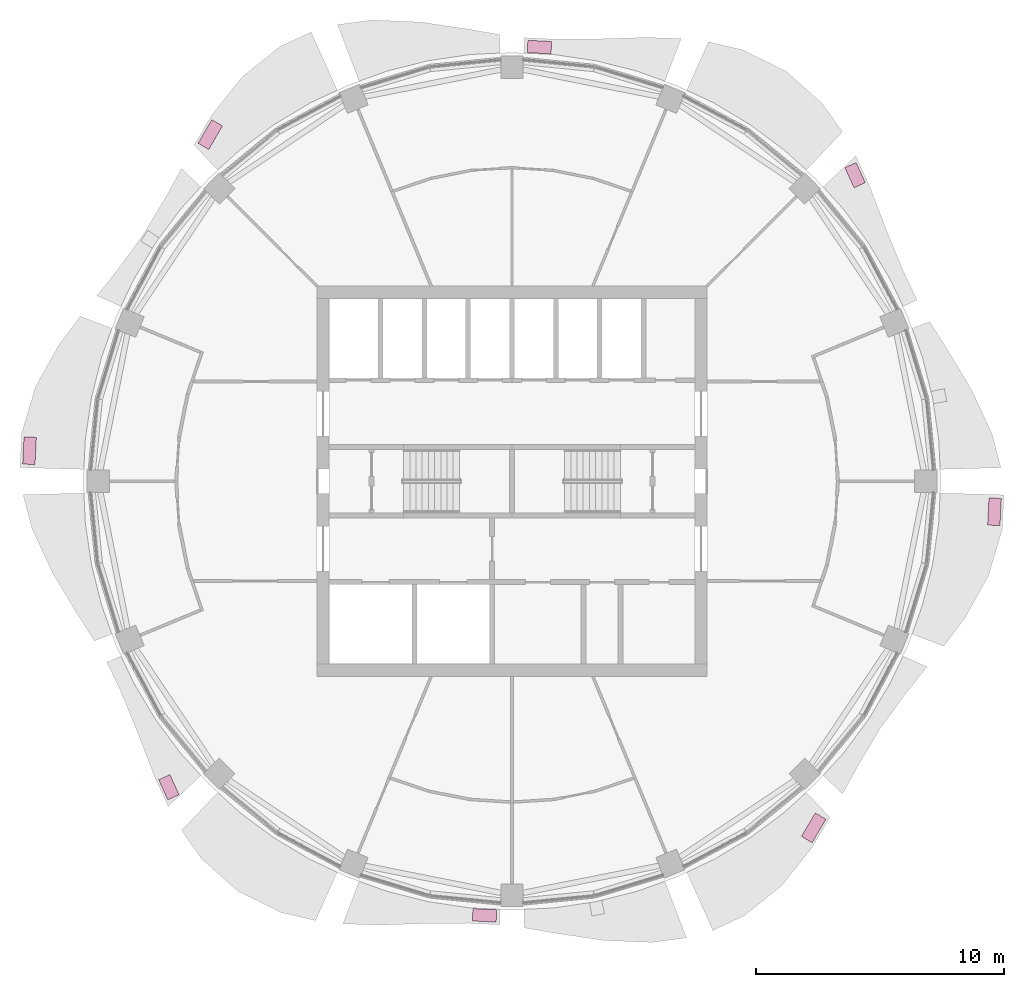
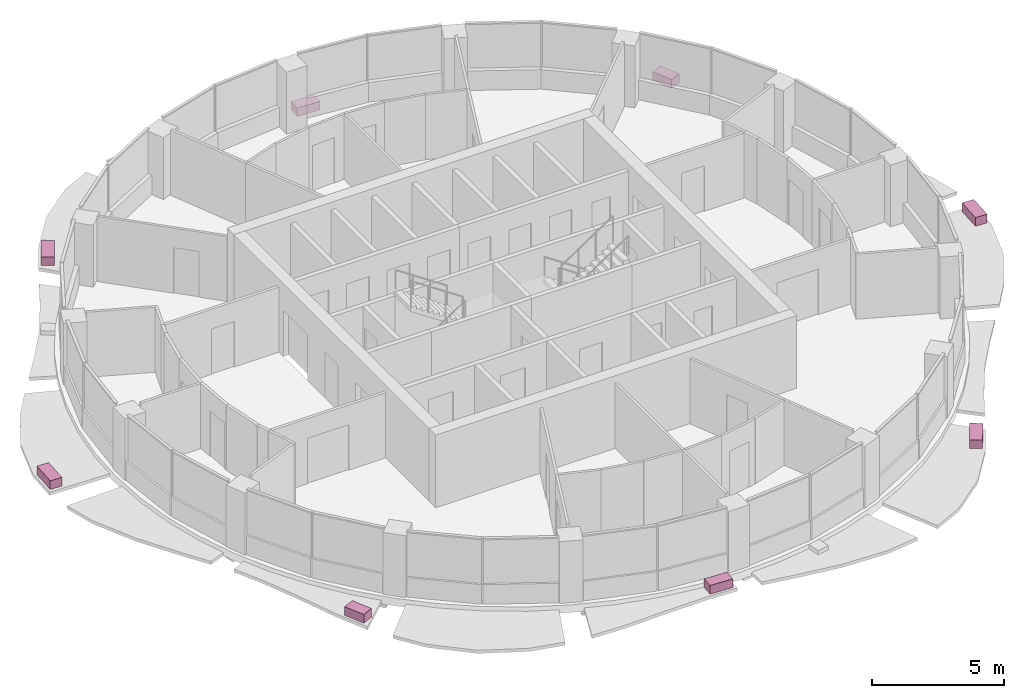
# One storey, part 15 of 15: 8 furniture elements.
"""IFC4 building model written with IfcOpenShell, lengths in metres."""

from ifc_helpers import new_model, si_unit, direction, frame, origin, origin_2d, place, context, subcontext, project, spatial, rectangle, extrude, material, type_object, element, save


model = new_model("IFC4")

# Units and contexts
model_context = context("Model", 3, precision=1e-05, world=origin(), true_north=direction((0.0, 1.0)))
body_context = subcontext(model_context, "Body", "Model", "MODEL_VIEW")
ifc_project = project(units=[si_unit("LENGTHUNIT", "METRE"), si_unit("AREAUNIT", "SQUARE_METRE"), si_unit("VOLUMEUNIT", "CUBIC_METRE"), si_unit("PLANEANGLEUNIT", "RADIAN"), si_unit("MASSUNIT", "GRAM", prefix="KILO")], contexts=[model_context])

# Site, building, storey
site_placement = place(None, origin())
site = spatial("IfcSite", under=ifc_project, at=site_placement, CompositionType="ELEMENT")
building_placement = place(site_placement, origin())
building = spatial("IfcBuilding", under=site, at=building_placement, Name="Polderwave Tower", CompositionType="ELEMENT")
storey_placement = place(building_placement, frame((0.0, 0.0, 201.050048828125)))
storey = spatial("IfcBuildingStorey", under=building, at=storey_placement, Name="L54", CompositionType="ELEMENT", Elevation=201.050048828125)

# Furniture
ifc_material = material(Name="Terracotta", Category="masonry")
furniture_type = type_object("IfcFurnitureType", Name="Terracotta planting trough", AssemblyPlace="NOTDEFINED", PredefinedType="USERDEFINED", material=ifc_material)
furniture_1_placement = place(storey_placement, frame((13.84423828125, 12.347412109375, -0.199951171875), z_axis=(0.0, 0.0, 1.0), x_axis=(-0.415831644165, 0.909441610941, 0.0)))
element("IfcFurniture", 1, at=furniture_1_placement, inside=storey, type_object=furniture_type, Name="Planting trough L54 2", ObjectType="PLANTER", PredefinedType="USERDEFINED", context=body_context, shape_type="SweptSolid", body=[
    extrude(rectangle(XDim=0.891357421875, YDim=0.5, at=origin_2d()), origin(), (0.0, 0.0, 1.0), 0.39990234375),
])
furniture_2_placement = place(storey_placement, frame((1.108154296875, 17.517578125, -0.199951171875), z_axis=(0.0, 0.0, 1.0), x_axis=(-0.998680747892, 0.051349428333, 0.0)))
element("IfcFurniture", 2, at=furniture_2_placement, inside=storey, type_object=furniture_type, Name="Planting trough L54 4", ObjectType="PLANTER", PredefinedType="USERDEFINED", context=body_context, shape_type="SweptSolid", body=[
    extrude(rectangle(XDim=0.962646484375, YDim=0.5, at=origin_2d()), origin(), (0.0, 0.0, 1.0), 0.39990234375),
])
furniture_3_placement = place(storey_placement, frame((-12.173095703125, 13.98681640625, -0.199951171875), z_axis=(0.0, 0.0, 1.0), x_axis=(-0.506829889234, -0.862046091215, 0.0)))
element("IfcFurniture", 3, at=furniture_3_placement, inside=storey, type_object=furniture_type, Name="Planting trough L54 6", ObjectType="PLANTER", PredefinedType="USERDEFINED", context=body_context, shape_type="SweptSolid", body=[
    extrude(rectangle(XDim=1.1005859375, YDim=0.5, at=origin_2d()), origin(), (0.0, 0.0, 1.0), 0.39990234375),
])
furniture_4_placement = place(storey_placement, frame((-19.468017578125, 1.23193359375, -0.199951171875), z_axis=(0.0, 0.0, 1.0), x_axis=(-0.049236766635, -0.998787134885, 0.0)))
element("IfcFurniture", 4, at=furniture_4_placement, inside=storey, type_object=furniture_type, Name="Planting trough L54 8", ObjectType="PLANTER", PredefinedType="USERDEFINED", context=body_context, shape_type="SweptSolid", body=[
    extrude(rectangle(XDim=1.100341796875, YDim=0.5, at=origin_2d()), origin(), (0.0, 0.0, 1.0), 0.39990234375),
])
furniture_5_placement = place(storey_placement, frame((-13.84423828125, -12.347412109375, -0.199951171875), z_axis=(0.0, 0.0, 1.0), x_axis=(0.415831644165, -0.909441610941, 0.0)))
element("IfcFurniture", 5, at=furniture_5_placement, inside=storey, type_object=furniture_type, Name="Planting trough L54 10", ObjectType="PLANTER", PredefinedType="USERDEFINED", context=body_context, shape_type="SweptSolid", body=[
    extrude(rectangle(XDim=0.891357421875, YDim=0.5, at=origin_2d()), origin(), (0.0, 0.0, 1.0), 0.39990234375),
])
furniture_6_placement = place(storey_placement, frame((-1.108154296875, -17.517578125, -0.199951171875), z_axis=(0.0, 0.0, 1.0), x_axis=(0.998680747892, -0.051349428333, 0.0)))
element("IfcFurniture", 6, at=furniture_6_placement, inside=storey, type_object=furniture_type, Name="Planting trough L54 12", ObjectType="PLANTER", PredefinedType="USERDEFINED", context=body_context, shape_type="SweptSolid", body=[
    extrude(rectangle(XDim=0.962646484375, YDim=0.5, at=origin_2d()), origin(), (0.0, 0.0, 1.0), 0.39990234375),
])
furniture_7_placement = place(storey_placement, frame((12.173095703125, -13.98681640625, -0.199951171875), z_axis=(0.0, 0.0, 1.0), x_axis=(0.506829889234, 0.862046091215, 0.0)))
element("IfcFurniture", 7, at=furniture_7_placement, inside=storey, type_object=furniture_type, Name="Planting trough L54 14", ObjectType="PLANTER", PredefinedType="USERDEFINED", context=body_context, shape_type="SweptSolid", body=[
    extrude(rectangle(XDim=1.1005859375, YDim=0.5, at=origin_2d()), origin(), (0.0, 0.0, 1.0), 0.39990234375),
])
furniture_8_placement = place(storey_placement, frame((19.468017578125, -1.23193359375, -0.199951171875), z_axis=(0.0, 0.0, 1.0), x_axis=(0.049236766635, 0.998787134885, 0.0)))
element("IfcFurniture", 8, at=furniture_8_placement, inside=storey, type_object=furniture_type, Name="Planting trough L54 16", ObjectType="PLANTER", PredefinedType="USERDEFINED", context=body_context, shape_type="SweptSolid", body=[
    extrude(rectangle(XDim=1.100341796875, YDim=0.5, at=origin_2d()), origin(), (0.0, 0.0, 1.0), 0.39990234375),
])

save(model, "model.ifc")
